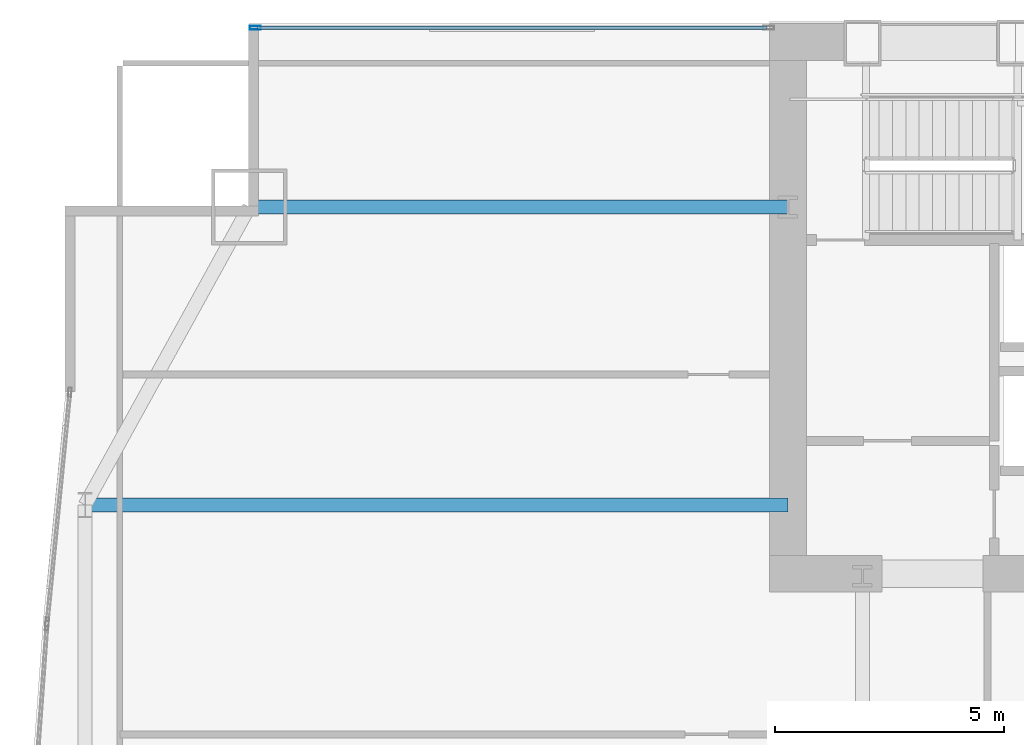
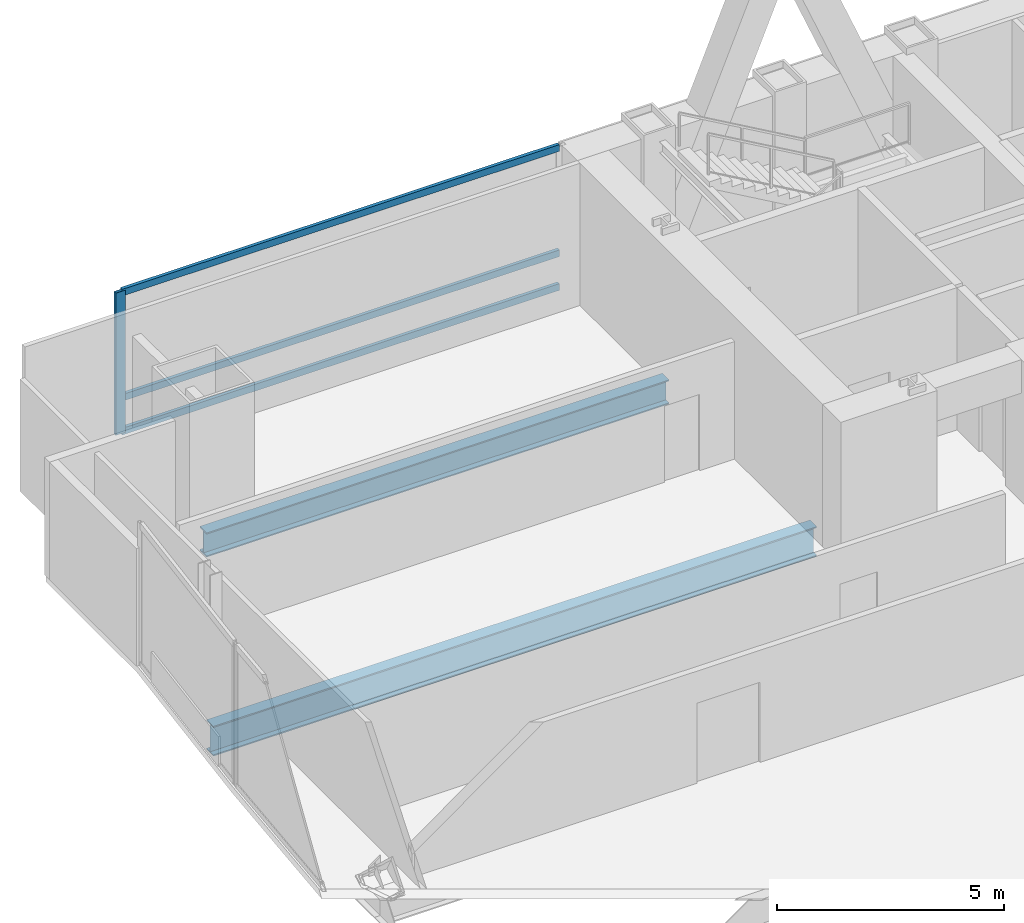
# One storey, part 17 of 33: 4 members, 2 beams, 1 element without a shape of its own.
"""IFC4 building model written with IfcOpenShell, lengths in metres."""

from ifc_helpers import new_model, si_unit, direction, frame, origin, origin_2d, place, context, subcontext, project, spatial, hollow_rectangle, i_section, extrude, material, material_profile, profile_set, type_object, element, aggregate, save


model = new_model("IFC4")

# Units and contexts
model_context = context("Model", 3, precision=1e-05, world=origin(), true_north=direction((0.0, 1.0)))
body_context = subcontext(model_context, "Body", "Model", "MODEL_VIEW")
ifc_project = project(units=[si_unit("LENGTHUNIT", "METRE"), si_unit("AREAUNIT", "SQUARE_METRE"), si_unit("VOLUMEUNIT", "CUBIC_METRE"), si_unit("PLANEANGLEUNIT", "RADIAN"), si_unit("MASSUNIT", "GRAM", prefix="KILO")], contexts=[model_context])

# Site, building, storey
site_placement = place(None, origin())
site = spatial("IfcSite", under=ifc_project, at=site_placement, CompositionType="ELEMENT")
building_placement = place(site_placement, origin())
building = spatial("IfcBuilding", under=site, at=building_placement, Name="Khoronbel Lancet Exchange", CompositionType="ELEMENT")
storey_placement = place(building_placement, frame((0.0, 0.0, 73.800048828125)))
storey = spatial("IfcBuildingStorey", under=building, at=storey_placement, Name="L17", CompositionType="ELEMENT", Elevation=73.800048828125)

# Beams
ifc_material_1 = material(Name="Steel S355", Category="steel")
ifc_material_profile_1 = material_profile(ifc_material_1, i_section(OverallWidth=0.300048828125, OverallDepth=0.800048828125, WebThickness=0.017578125, FlangeThickness=0.032958984375, at=origin_2d()), Name="HEB 800")
ifc_profile_set_1 = profile_set([ifc_material_profile_1], Name="Steel S355")
beam_type_1 = type_object("IfcBeamType", Name="BM-BG2", PredefinedType="BEAM", material=ifc_profile_set_1)
beam_1_placement = place(storey_placement, frame((1.27001953125, 43.199951171875, -0.580078125), z_axis=(1.0, 0.0, 0.0), x_axis=(0.0, 1.0, 0.0)))
element("IfcBeam", 1, at=beam_1_placement, inside=storey, type_object=beam_type_1, Name="Level L17 west lens tie girder LG3W", PredefinedType="BEAM", context=body_context, shape_type="SweptSolid", body=[
    extrude(i_section(OverallWidth=0.300048828125, OverallDepth=0.800048828125, WebThickness=0.017578125, FlangeThickness=0.032958984375, at=origin_2d()), origin(), (0.0, 0.0, 1.0), 15.330078125),
])
ifc_material_profile_2 = material_profile(ifc_material_1, i_section(OverallWidth=0.300048828125, OverallDepth=0.64990234375, WebThickness=0.01611328125, FlangeThickness=0.031005859375, at=origin_2d()), Name="HEB 650")
ifc_profile_set_2 = profile_set([ifc_material_profile_2], Name="Steel S355")
beam_type_2 = type_object("IfcBeamType", Name="BM-BSP1", PredefinedType="SPANDREL", material=ifc_profile_set_2)
beam_2_placement = place(storey_placement, frame((4.85009765625, 49.699951171875, -0.505126953125), z_axis=(1.0, 0.0, 0.0), x_axis=(0.0, 1.0, 0.0)))
element("IfcBeam", 2, at=beam_2_placement, inside=storey, type_object=beam_type_2, Name="Level L17 north flank tie spandrel SP22", PredefinedType="SPANDREL", context=body_context, shape_type="SweptSolid", body=[
    extrude(i_section(OverallWidth=0.300048828125, OverallDepth=0.64990234375, WebThickness=0.01611328125, FlangeThickness=0.031005859375, at=origin_2d()), origin(), (0.0, 0.0, 1.0), 11.75),
])

# Curtain wall, members
ifc_material_2 = material(Name="Low-E Solar Control Insulating Glass", Category="glass")
curtain_wall_type = type_object("IfcCurtainWallType", Name="CW-1", PredefinedType="NOTDEFINED", material=ifc_material_2)
curtain_wall_placement = place(storey_placement, origin())
curtain_wall = element("IfcCurtainWall", 3, at=curtain_wall_placement, inside=storey, type_object=curtain_wall_type, Name="Unitised curtain wall CW-L17-NWFLK", PredefinedType="NOTDEFINED")
ifc_material_3 = material(Name="Bronze-Anodised Aluminium 6063-T6", Category="aluminium")
ifc_material_profile_3 = material_profile(ifc_material_3, hollow_rectangle(XDim=0.0849609375, YDim=0.239990234375, WallThickness=0.006103515625, at=origin_2d()), Name="ALU MULLION 85x240")
ifc_profile_set_3 = profile_set([ifc_material_profile_3], Name="Bronze-Anodised Aluminium 6063-T6")
member_type_1 = type_object("IfcMemberType", Name="MEM-CWM1", PredefinedType="MULLION", material=ifc_profile_set_3)
member_1_placement = place(storey_placement, frame((4.982421875, 53.610107421875, 0.0), z_axis=(0.0, 0.0, 1.0), x_axis=(0.0, -1.0, 0.0)))
member_1 = element("IfcMember", 4, at=member_1_placement, type_object=member_type_1, Name="CW1 mullion 2", PredefinedType="MULLION", context=body_context, shape_type="SweptSolid", body=[
    extrude(hollow_rectangle(XDim=0.0849609375, YDim=0.239990234375, WallThickness=0.006103515625, at=origin_2d()), origin(), (0.0, 0.0, 1.0), 3.820068359375),
])
ifc_material_profile_4 = material_profile(ifc_material_3, hollow_rectangle(XDim=0.0849609375, YDim=0.179931640625, WallThickness=0.0048828125, at=origin_2d()), Name="ALU TRANSOM 85x180")
ifc_profile_set_4 = profile_set([ifc_material_profile_4], Name="Bronze-Anodised Aluminium 6063-T6")
member_type_2 = type_object("IfcMemberType", Name="MEM-CWT1", PredefinedType="USERDEFINED", material=ifc_profile_set_4)
member_2_placement = place(storey_placement, frame((16.135009765625, 53.610107421875, 0.04248046875), z_axis=(-1.0, 0.0, 0.0), x_axis=(0.0, -1.0, 0.0)))
member_2 = element("IfcMember", 5, at=member_2_placement, type_object=member_type_2, Name="CW1 transom 1.1", ObjectType="TRANSOM", PredefinedType="USERDEFINED", context=body_context, shape_type="SweptSolid", body=[
    extrude(hollow_rectangle(XDim=0.0849609375, YDim=0.179931640625, WallThickness=0.0048828125, at=origin_2d()), origin(), (0.0, 0.0, 1.0), 11.110107421875),
])
member_3_placement = place(storey_placement, frame((16.135009765625, 53.610107421875, 0.949951171875), z_axis=(-1.0, 0.0, 0.0), x_axis=(0.0, -1.0, 0.0)))
member_3 = element("IfcMember", 6, at=member_3_placement, type_object=member_type_2, Name="CW1 transom 1.2", ObjectType="TRANSOM", PredefinedType="USERDEFINED", context=body_context, shape_type="SweptSolid", body=[
    extrude(hollow_rectangle(XDim=0.0849609375, YDim=0.179931640625, WallThickness=0.0048828125, at=origin_2d()), origin(), (0.0, 0.0, 1.0), 11.110107421875),
])
member_4_placement = place(storey_placement, frame((16.135009765625, 53.610107421875, 3.77734375), z_axis=(-1.0, 0.0, 0.0), x_axis=(0.0, -1.0, 0.0)))
member_4 = element("IfcMember", 7, at=member_4_placement, type_object=member_type_2, Name="CW1 transom 1.3", ObjectType="TRANSOM", PredefinedType="USERDEFINED", context=body_context, shape_type="SweptSolid", body=[
    extrude(hollow_rectangle(XDim=0.0849609375, YDim=0.179931640625, WallThickness=0.0048828125, at=origin_2d()), origin(), (0.0, 0.0, 1.0), 11.110107421875),
])
aggregate(curtain_wall, [member_1, member_2, member_3, member_4])

save(model, "model.ifc")
